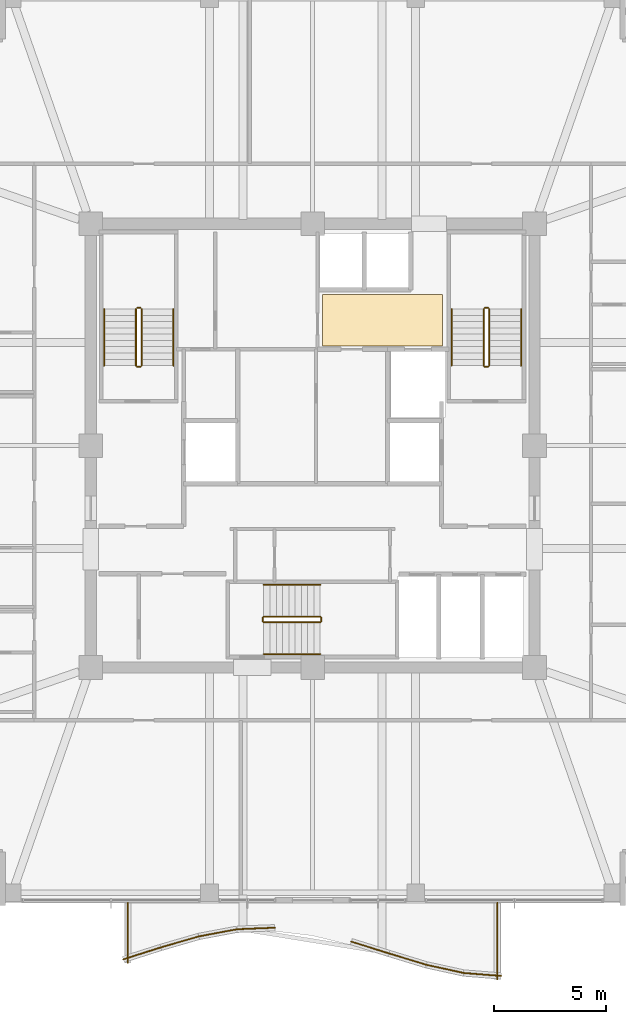
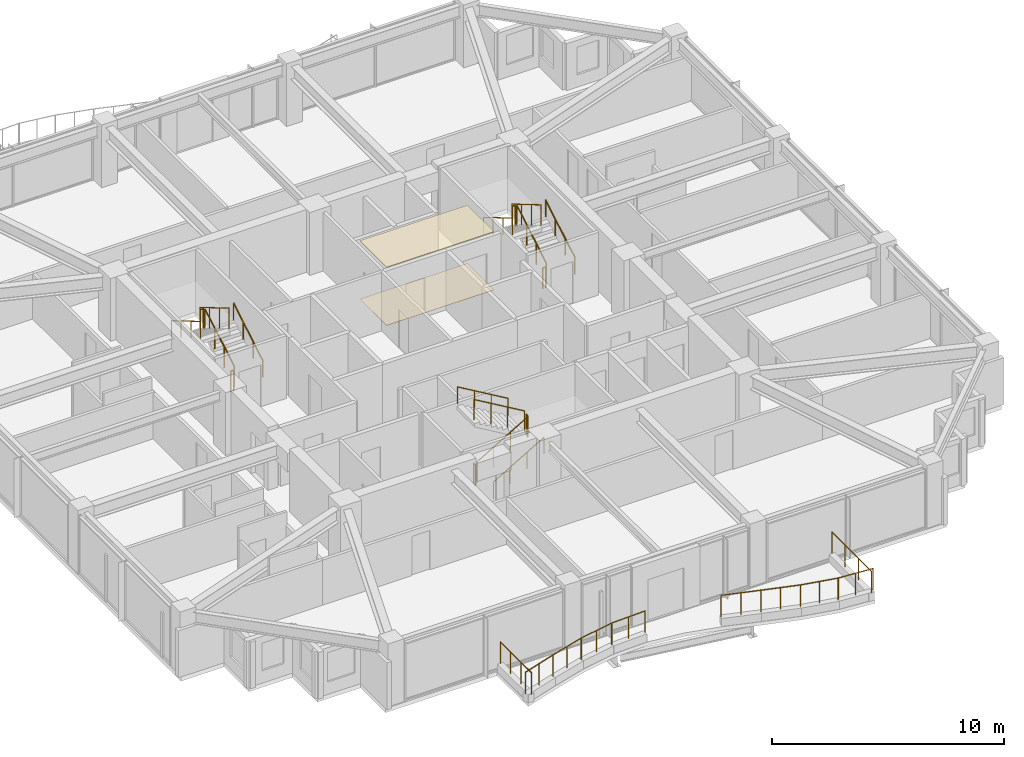
# One storey, part 35 of 36: 28 railings, 2 coverings.
"""IFC4 building model written with IfcOpenShell, lengths in metres."""

from ifc_helpers import new_model, si_unit, direction, frame, origin, origin_2d, place, context, subcontext, project, spatial, polyline, circle, outline, extrude, material, layer, layer_set, type_object, element, save


model = new_model("IFC4")

# Units and contexts
model_context = context("Model", 3, precision=1e-05, world=origin(), true_north=direction((0.0, 1.0)))
body_context = subcontext(model_context, "Body", "Model", "MODEL_VIEW")
ifc_project = project(units=[si_unit("LENGTHUNIT", "METRE"), si_unit("AREAUNIT", "SQUARE_METRE"), si_unit("VOLUMEUNIT", "CUBIC_METRE"), si_unit("PLANEANGLEUNIT", "RADIAN"), si_unit("MASSUNIT", "GRAM", prefix="KILO")], contexts=[model_context])

# Site, building, storey
site_placement = place(None, origin())
site = spatial("IfcSite", under=ifc_project, at=site_placement, CompositionType="ELEMENT")
building_placement = place(site_placement, origin())
building = spatial("IfcBuilding", under=site, at=building_placement, Name="Kolvaren Belvedere", CompositionType="ELEMENT")
storey_placement = place(building_placement, frame((0.0, 0.0, 193.199951171875)))
storey = spatial("IfcBuildingStorey", under=building, at=storey_placement, Name="L56", CompositionType="ELEMENT", Elevation=193.199951171875)

# Coverings
ifc_material_1 = material(Name="Acoustic perforated gypsum board", Category="gypsum")
ifc_layer_1 = layer(ifc_material_1, 0.02490234375)
ifc_layer_set_1 = layer_set([ifc_layer_1], Name="Acoustic perforated gypsum board")
covering_type_1 = type_object("IfcCoveringType", Name="COV-CEIL-GYP", PredefinedType="CEILING", material=ifc_layer_set_1)
covering_1_placement = place(storey_placement, frame((0.0, 0.0, 3.054931640625)))
element("IfcCovering", 1, at=covering_1_placement, inside=storey, type_object=covering_type_1, Name="L56 Lift Lobby Acoustic Baffle Ceiling", PredefinedType="CEILING", context=body_context, shape_type="SweptSolid", body=[
    extrude(outline(polyline([(0.449951171875, 4.449951171875), (5.800048828125, 4.449951171875), (5.800048828125, 6.75), (0.449951171875, 6.75), (0.449951171875, 4.449951171875)])), origin(), (0.0, 0.0, 1.0), 0.025146484375),
])
ifc_material_2 = material(Name="Engineered Pacific white oak", Category="timber")
ifc_layer_2 = layer(ifc_material_2, 0.02001953125)
ifc_layer_set_2 = layer_set([ifc_layer_2], Name="Engineered Pacific white oak")
covering_type_2 = type_object("IfcCoveringType", Name="COV-FLR-OAK", PredefinedType="FLOORING", material=ifc_layer_set_2)
covering_2_placement = place(storey_placement, origin())
element("IfcCovering", 2, at=covering_2_placement, inside=storey, type_object=covering_type_2, Name="L56 Lift Lobby Finish Flooring", PredefinedType="FLOORING", context=body_context, shape_type="SweptSolid", body=[
    extrude(outline(polyline([(0.449951171875, 4.449951171875), (5.800048828125, 4.449951171875), (5.800048828125, 6.75), (0.449951171875, 6.75), (0.449951171875, 4.449951171875)])), origin(), (0.0, 0.0, 1.0), 0.02001953125),
])

# Railings
ifc_material_3 = material(Name="Anodised pale-metal aluminium & laminated glass guard", Category="aluminium")
railing_type_1 = type_object("IfcRailingType", Name="RL-GUARD-1150", PredefinedType="GUARDRAIL", material=ifc_material_3)
railing_1_placement = place(storey_placement, frame((-8.448486328125, -22.92138671875, 0.380126953125)))
element("IfcRailing", 3, at=railing_1_placement, inside=storey, type_object=railing_type_1, Name="L56 Exterior Deck Safety Guard BAL-S-1", PredefinedType="GUARDRAIL", context=body_context, shape_type="SweptSolid", body=[
    extrude(circle(Radius=0.02392578125, at=origin_2d()), frame((0.0, 0.0, 1.1259765625), z_axis=(0.952661770826, 0.304032153573, 0.0), x_axis=(-0.304032153573, 0.952661770826, 0.0)), (0.0, 0.0, 1.0), 1.763427734375),
    extrude(circle(Radius=0.02099609375, at=origin_2d()), origin(), (0.0, 0.0, 1.0), 1.101806640625),
    extrude(circle(Radius=0.02099609375, at=origin_2d()), frame((0.83984375, 0.26806640625, 0.0)), (0.0, 0.0, 1.0), 1.101806640625),
    extrude(circle(Radius=0.02099609375, at=origin_2d()), frame((1.679931640625, 0.5361328125, 0.0)), (0.0, 0.0, 1.0), 1.101806640625),
])
railing_2_placement = place(storey_placement, frame((-6.764404296875, -22.3837890625, 0.380126953125)))
element("IfcRailing", 4, at=railing_2_placement, inside=storey, type_object=railing_type_1, Name="L56 Exterior Deck Safety Guard BAL-S-2", PredefinedType="GUARDRAIL", context=body_context, shape_type="SweptSolid", body=[
    extrude(circle(Radius=0.02392578125, at=origin_2d()), frame((0.0, 0.0, 1.1259765625), z_axis=(0.960633903819, 0.277817391164, 0.0), x_axis=(-0.277817391164, 0.960633903819, 0.0)), (0.0, 0.0, 1.0), 1.748779296875),
    extrude(circle(Radius=0.02099609375, at=origin_2d()), origin(), (0.0, 0.0, 1.0), 1.101806640625),
    extrude(circle(Radius=0.02099609375, at=origin_2d()), frame((0.83984375, 0.242919921875, 0.0)), (0.0, 0.0, 1.0), 1.101806640625),
    extrude(circle(Radius=0.02099609375, at=origin_2d()), frame((1.679931640625, 0.48583984375, 0.0)), (0.0, 0.0, 1.0), 1.101806640625),
])
railing_3_placement = place(storey_placement, frame((-5.069580078125, -21.894287109375, 0.380126953125)))
element("IfcRailing", 5, at=railing_3_placement, inside=storey, type_object=railing_type_1, Name="L56 Exterior Deck Safety Guard BAL-S-3", PredefinedType="GUARDRAIL", context=body_context, shape_type="SweptSolid", body=[
    extrude(circle(Radius=0.02392578125, at=origin_2d()), frame((0.0, 0.0, 1.1259765625), z_axis=(0.982799348901, 0.18467658162, 0.0), x_axis=(-0.18467658162, 0.982799348901, 0.0)), (0.0, 0.0, 1.0), 1.709228515625),
    extrude(circle(Radius=0.02099609375, at=origin_2d()), origin(), (0.0, 0.0, 1.0), 1.101806640625),
    extrude(circle(Radius=0.02099609375, at=origin_2d()), frame((0.83984375, 0.15771484375, 0.0)), (0.0, 0.0, 1.0), 1.101806640625),
    extrude(circle(Radius=0.02099609375, at=origin_2d()), frame((1.679931640625, 0.315673828125, 0.0)), (0.0, 0.0, 1.0), 1.101806640625),
])
railing_4_placement = place(storey_placement, frame((-3.366455078125, -21.575927734375, 0.380126953125)))
element("IfcRailing", 6, at=railing_4_placement, inside=storey, type_object=railing_type_1, Name="L56 Exterior Deck Safety Guard BAL-S-4", PredefinedType="GUARDRAIL", context=body_context, shape_type="SweptSolid", body=[
    extrude(circle(Radius=0.02392578125, at=origin_2d()), frame((0.0, 0.0, 1.1259765625), z_axis=(0.999196778482, 0.040072407855, 0.0), x_axis=(-0.040072407855, 0.999196778482, 0.0)), (0.0, 0.0, 1.0), 1.681640625),
    extrude(circle(Radius=0.02099609375, at=origin_2d()), origin(), (0.0, 0.0, 1.0), 1.101806640625),
    extrude(circle(Radius=0.02099609375, at=origin_2d()), frame((0.840087890625, 0.03369140625, 0.0)), (0.0, 0.0, 1.0), 1.101806640625),
    extrude(circle(Radius=0.02099609375, at=origin_2d()), frame((1.68017578125, 0.0673828125, 0.0)), (0.0, 0.0, 1.0), 1.101806640625),
])
railing_5_placement = place(storey_placement, frame((1.727783203125, -22.127685546875, 0.380126953125)))
element("IfcRailing", 7, at=railing_5_placement, inside=storey, type_object=railing_type_1, Name="L56 Exterior Deck Safety Guard BAL-S-7", PredefinedType="GUARDRAIL", context=body_context, shape_type="SweptSolid", body=[
    extrude(circle(Radius=0.02392578125, at=origin_2d()), frame((0.0, 0.0, 1.1259765625), z_axis=(0.954069594374, -0.299585061529, 0.0), x_axis=(0.299585061529, 0.954069594374, 0.0)), (0.0, 0.0, 1.0), 1.760986328125),
    extrude(circle(Radius=0.02099609375, at=origin_2d()), origin(), (0.0, 0.0, 1.0), 1.101806640625),
    extrude(circle(Radius=0.02099609375, at=origin_2d()), frame((0.840087890625, -0.263671875, 0.0)), (0.0, 0.0, 1.0), 1.101806640625),
    extrude(circle(Radius=0.02099609375, at=origin_2d()), frame((1.68017578125, -0.527587890625, 0.0)), (0.0, 0.0, 1.0), 1.101806640625),
])
railing_6_placement = place(storey_placement, frame((3.406494140625, -22.65478515625, 0.380126953125)))
element("IfcRailing", 8, at=railing_6_placement, inside=storey, type_object=railing_type_1, Name="L56 Exterior Deck Safety Guard BAL-S-8", PredefinedType="GUARDRAIL", context=body_context, shape_type="SweptSolid", body=[
    extrude(circle(Radius=0.02392578125, at=origin_2d()), frame((0.0, 0.0, 1.1259765625), z_axis=(0.956771481005, -0.290840734999, 0.0), x_axis=(0.290840734999, 0.956771481005, 0.0)), (0.0, 0.0, 1.0), 1.756103515625),
    extrude(circle(Radius=0.02099609375, at=origin_2d()), origin(), (0.0, 0.0, 1.0), 1.101806640625),
    extrude(circle(Radius=0.02099609375, at=origin_2d()), frame((0.840087890625, -0.25537109375, 0.0)), (0.0, 0.0, 1.0), 1.101806640625),
    extrude(circle(Radius=0.02099609375, at=origin_2d()), frame((1.68017578125, -0.5107421875, 0.0)), (0.0, 0.0, 1.0), 1.101806640625),
])
railing_7_placement = place(storey_placement, frame((5.07421875, -23.162353515625, 0.380126953125)))
element("IfcRailing", 9, at=railing_7_placement, inside=storey, type_object=railing_type_1, Name="L56 Exterior Deck Safety Guard BAL-S-9", PredefinedType="GUARDRAIL", context=body_context, shape_type="SweptSolid", body=[
    extrude(circle(Radius=0.02392578125, at=origin_2d()), frame((0.0, 0.0, 1.1259765625), z_axis=(0.976876857632, -0.213802724545, 0.0), x_axis=(0.213802724545, 0.976876857632, 0.0)), (0.0, 0.0, 1.0), 1.7197265625),
    extrude(circle(Radius=0.02099609375, at=origin_2d()), origin(), (0.0, 0.0, 1.0), 1.101806640625),
    extrude(circle(Radius=0.02099609375, at=origin_2d()), frame((0.83984375, -0.183837890625, 0.0)), (0.0, 0.0, 1.0), 1.101806640625),
    extrude(circle(Radius=0.02099609375, at=origin_2d()), frame((1.679931640625, -0.36767578125, 0.0)), (0.0, 0.0, 1.0), 1.101806640625),
])
railing_8_placement = place(storey_placement, frame((6.732666015625, -23.52685546875, 0.380126953125)))
element("IfcRailing", 10, at=railing_8_placement, inside=storey, type_object=railing_type_1, Name="L56 Exterior Deck Safety Guard BAL-S-10", PredefinedType="GUARDRAIL", context=body_context, shape_type="SweptSolid", body=[
    extrude(circle(Radius=0.02392578125, at=origin_2d()), frame((0.0, 0.0, 1.1259765625), z_axis=(0.99685522818, -0.079244268248, 0.0), x_axis=(0.079244268248, 0.99685522818, 0.0)), (0.0, 0.0, 1.0), 1.685302734375),
    extrude(circle(Radius=0.02099609375, at=origin_2d()), origin(), (0.0, 0.0, 1.0), 1.101806640625),
    extrude(circle(Radius=0.02099609375, at=origin_2d()), frame((0.83984375, -0.06689453125, 0.0)), (0.0, 0.0, 1.0), 1.101806640625),
    extrude(circle(Radius=0.02099609375, at=origin_2d()), frame((1.679931640625, -0.133544921875, 0.0)), (0.0, 0.0, 1.0), 1.101806640625),
])
railing_9_placement = place(storey_placement, frame((8.239990234375, -23.820068359375, 0.380126953125)))
element("IfcRailing", 11, at=railing_9_placement, inside=storey, type_object=railing_type_1, Name="L56 Exterior Deck Safety Guard BAL-S-11", PredefinedType="GUARDRAIL", context=body_context, shape_type="SweptSolid", body=[
    extrude(circle(Radius=0.02392578125, at=origin_2d()), frame((0.0, 0.0, 1.1259765625), z_axis=(0.0, 1.0, 0.0), x_axis=(-1.0, 0.0, 0.0)), (0.0, 0.0, 1.0), 3.420166015625),
    extrude(circle(Radius=0.02099609375, at=origin_2d()), origin(), (0.0, 0.0, 1.0), 1.101806640625),
    extrude(circle(Radius=0.02099609375, at=origin_2d()), frame((0.0, 1.14013671875, 0.0)), (0.0, 0.0, 1.0), 1.101806640625),
    extrude(circle(Radius=0.02099609375, at=origin_2d()), frame((0.0, 2.280029296875, 0.0)), (0.0, 0.0, 1.0), 1.101806640625),
    extrude(circle(Radius=0.02099609375, at=origin_2d()), frame((0.0, 3.420166015625, 0.0)), (0.0, 0.0, 1.0), 1.101806640625),
])
railing_10_placement = place(storey_placement, frame((-8.239990234375, -20.39990234375, 0.380126953125)))
element("IfcRailing", 12, at=railing_10_placement, inside=storey, type_object=railing_type_1, Name="L56 Exterior Deck Safety Guard BAL-S-22", PredefinedType="GUARDRAIL", context=body_context, shape_type="SweptSolid", body=[
    extrude(circle(Radius=0.02392578125, at=origin_2d()), frame((0.0, 0.0, 1.1259765625), z_axis=(0.0, -1.0, 0.0), x_axis=(1.0, 0.0, 0.0)), (0.0, 0.0, 1.0), 2.673828125),
    extrude(circle(Radius=0.02099609375, at=origin_2d()), origin(), (0.0, 0.0, 1.0), 1.101806640625),
    extrude(circle(Radius=0.02099609375, at=origin_2d()), frame((0.0, -0.891357421875, 0.0)), (0.0, 0.0, 1.0), 1.101806640625),
    extrude(circle(Radius=0.02099609375, at=origin_2d()), frame((0.0, -1.782470703125, 0.0)), (0.0, 0.0, 1.0), 1.101806640625),
    extrude(circle(Radius=0.02099609375, at=origin_2d()), frame((0.0, -2.673828125, 0.0)), (0.0, 0.0, 1.0), 1.101806640625),
])
ifc_material_4 = material(Name="Brushed stainless-steel handrail", Category="steel")
railing_type_2 = type_object("IfcRailingType", Name="RL-HANDRAIL-920", PredefinedType="HANDRAIL", material=ifc_material_4)
railing_11_placement = place(storey_placement, frame((-6.2099609375, 3.570068359375, 0.1650390625)))
element("IfcRailing", 13, at=railing_11_placement, inside=storey, type_object=railing_type_2, Name="L56 ST-1 stair handrail 1", PredefinedType="HANDRAIL", context=body_context, shape_type="SweptSolid", body=[
    extrude(circle(Radius=0.02392578125, at=origin_2d()), frame((0.0, 0.0, 0.8759765625), z_axis=(0.0, 0.86152411907, 0.507716645641), x_axis=(-1.0, 0.0, 0.0)), (0.0, 0.0, 1.0), 2.925048828125),
    extrude(circle(Radius=0.02099609375, at=origin_2d()), origin(), (0.0, 0.0, 1.0), 0.851806640625),
    extrude(circle(Radius=0.02099609375, at=origin_2d()), frame((0.0, 0.840087890625, 0.4951171875)), (0.0, 0.0, 1.0), 0.851806640625),
    extrude(circle(Radius=0.02099609375, at=origin_2d()), frame((0.0, 1.679931640625, 0.989990234375)), (0.0, 0.0, 1.0), 0.851806640625),
    extrude(circle(Radius=0.02099609375, at=origin_2d()), frame((0.0, 2.52001953125, 1.485107421875)), (0.0, 0.0, 1.0), 0.851806640625),
])
railing_12_placement = place(storey_placement, frame((-9.300048828125, 6.090087890625, 1.81494140625)))
element("IfcRailing", 14, at=railing_12_placement, inside=storey, type_object=railing_type_2, Name="L56 ST-1 stair handrail 2", PredefinedType="HANDRAIL", context=body_context, shape_type="SweptSolid", body=[
    extrude(circle(Radius=0.02392578125, at=origin_2d()), frame((0.0, 0.0, 0.8759765625), z_axis=(0.0, -0.86152411907, 0.507716645641), x_axis=(1.0, 0.0, 0.0)), (0.0, 0.0, 1.0), 2.925048828125),
    extrude(circle(Radius=0.02099609375, at=origin_2d()), origin(), (0.0, 0.0, 1.0), 0.851806640625),
    extrude(circle(Radius=0.02099609375, at=origin_2d()), frame((0.0, -0.840087890625, 0.4951171875)), (0.0, 0.0, 1.0), 0.851806640625),
    extrude(circle(Radius=0.02099609375, at=origin_2d()), frame((0.0, -1.679931640625, 0.989990234375)), (0.0, 0.0, 1.0), 0.851806640625),
    extrude(circle(Radius=0.02099609375, at=origin_2d()), frame((0.0, -2.52001953125, 1.485107421875)), (0.0, 0.0, 1.0), 0.851806640625),
])
railing_13_placement = place(storey_placement, frame((9.300048828125, 3.570068359375, 0.1650390625)))
element("IfcRailing", 15, at=railing_13_placement, inside=storey, type_object=railing_type_2, Name="L56 ST-2 stair handrail 1", PredefinedType="HANDRAIL", context=body_context, shape_type="SweptSolid", body=[
    extrude(circle(Radius=0.02392578125, at=origin_2d()), frame((0.0, 0.0, 0.8759765625), z_axis=(0.0, 0.86152411907, 0.507716645641), x_axis=(-1.0, 0.0, 0.0)), (0.0, 0.0, 1.0), 2.925048828125),
    extrude(circle(Radius=0.02099609375, at=origin_2d()), origin(), (0.0, 0.0, 1.0), 0.851806640625),
    extrude(circle(Radius=0.02099609375, at=origin_2d()), frame((0.0, 0.840087890625, 0.4951171875)), (0.0, 0.0, 1.0), 0.851806640625),
    extrude(circle(Radius=0.02099609375, at=origin_2d()), frame((0.0, 1.679931640625, 0.989990234375)), (0.0, 0.0, 1.0), 0.851806640625),
    extrude(circle(Radius=0.02099609375, at=origin_2d()), frame((0.0, 2.52001953125, 1.485107421875)), (0.0, 0.0, 1.0), 0.851806640625),
])
railing_14_placement = place(storey_placement, frame((6.2099609375, 6.090087890625, 1.81494140625)))
element("IfcRailing", 16, at=railing_14_placement, inside=storey, type_object=railing_type_2, Name="L56 ST-2 stair handrail 2", PredefinedType="HANDRAIL", context=body_context, shape_type="SweptSolid", body=[
    extrude(circle(Radius=0.02392578125, at=origin_2d()), frame((0.0, 0.0, 0.8759765625), z_axis=(0.0, -0.86152411907, 0.507716645641), x_axis=(1.0, 0.0, 0.0)), (0.0, 0.0, 1.0), 2.925048828125),
    extrude(circle(Radius=0.02099609375, at=origin_2d()), origin(), (0.0, 0.0, 1.0), 0.851806640625),
    extrude(circle(Radius=0.02099609375, at=origin_2d()), frame((0.0, -0.840087890625, 0.4951171875)), (0.0, 0.0, 1.0), 0.851806640625),
    extrude(circle(Radius=0.02099609375, at=origin_2d()), frame((0.0, -1.679931640625, 0.989990234375)), (0.0, 0.0, 1.0), 0.851806640625),
    extrude(circle(Radius=0.02099609375, at=origin_2d()), frame((0.0, -2.52001953125, 1.485107421875)), (0.0, 0.0, 1.0), 0.851806640625),
])
railing_15_placement = place(storey_placement, frame((-2.179931640625, -9.300048828125, 0.1650390625)))
element("IfcRailing", 17, at=railing_15_placement, inside=storey, type_object=railing_type_2, Name="L56 ST-3 stair handrail 1", PredefinedType="HANDRAIL", context=body_context, shape_type="SweptSolid", body=[
    extrude(circle(Radius=0.02392578125, at=origin_2d()), frame((0.0, 0.0, 0.8759765625), z_axis=(0.86152411907, 0.0, 0.507716645641), x_axis=(0.0, 1.0, 0.0)), (0.0, 0.0, 1.0), 2.925048828125),
    extrude(circle(Radius=0.02099609375, at=origin_2d()), origin(), (0.0, 0.0, 1.0), 0.851806640625),
    extrude(circle(Radius=0.02099609375, at=origin_2d()), frame((0.840087890625, 0.0, 0.4951171875)), (0.0, 0.0, 1.0), 0.851806640625),
    extrude(circle(Radius=0.02099609375, at=origin_2d()), frame((1.679931640625, 0.0, 0.989990234375)), (0.0, 0.0, 1.0), 0.851806640625),
    extrude(circle(Radius=0.02099609375, at=origin_2d()), frame((2.52001953125, 0.0, 1.485107421875)), (0.0, 0.0, 1.0), 0.851806640625),
])
railing_16_placement = place(storey_placement, frame((0.340087890625, -6.2099609375, 1.81494140625)))
element("IfcRailing", 18, at=railing_16_placement, inside=storey, type_object=railing_type_2, Name="L56 ST-3 stair handrail 2", PredefinedType="HANDRAIL", context=body_context, shape_type="SweptSolid", body=[
    extrude(circle(Radius=0.02392578125, at=origin_2d()), frame((0.0, 0.0, 0.8759765625), z_axis=(-0.86152411907, 0.0, 0.507716645641), x_axis=(0.0, -1.0, 0.0)), (0.0, 0.0, 1.0), 2.925048828125),
    extrude(circle(Radius=0.02099609375, at=origin_2d()), origin(), (0.0, 0.0, 1.0), 0.851806640625),
    extrude(circle(Radius=0.02099609375, at=origin_2d()), frame((-0.840087890625, 0.0, 0.4951171875)), (0.0, 0.0, 1.0), 0.851806640625),
    extrude(circle(Radius=0.02099609375, at=origin_2d()), frame((-1.679931640625, 0.0, 0.989990234375)), (0.0, 0.0, 1.0), 0.851806640625),
    extrude(circle(Radius=0.02099609375, at=origin_2d()), frame((-2.52001953125, 0.0, 1.485107421875)), (0.0, 0.0, 1.0), 0.851806640625),
])
ifc_material_5 = material(Name="Painted tubular steel stair guard", Category="steel")
railing_type_3 = type_object("IfcRailingType", Name="RL-STGUARD-1100", PredefinedType="GUARDRAIL", material=ifc_material_5)
railing_17_placement = place(storey_placement, frame((-7.6298828125, 3.570068359375, 0.1650390625)))
element("IfcRailing", 19, at=railing_17_placement, inside=storey, type_object=railing_type_3, Name="L56 ST-1 stair guard 1", PredefinedType="GUARDRAIL", context=body_context, shape_type="SweptSolid", body=[
    extrude(circle(Radius=0.02392578125, at=origin_2d()), frame((0.0, 0.0, 1.076171875), z_axis=(0.0, 0.86152411907, 0.507716645641), x_axis=(-1.0, 0.0, 0.0)), (0.0, 0.0, 1.0), 2.925048828125),
    extrude(circle(Radius=0.02099609375, at=origin_2d()), origin(), (0.0, 0.0, 1.0), 1.052001953125),
    extrude(circle(Radius=0.02099609375, at=origin_2d()), frame((0.0, 0.840087890625, 0.4951171875)), (0.0, 0.0, 1.0), 1.052001953125),
    extrude(circle(Radius=0.02099609375, at=origin_2d()), frame((0.0, 1.679931640625, 0.989990234375)), (0.0, 0.0, 1.0), 1.052001953125),
    extrude(circle(Radius=0.02099609375, at=origin_2d()), frame((0.0, 2.52001953125, 1.485107421875)), (0.0, 0.0, 1.0), 1.052001953125),
])
railing_18_placement = place(storey_placement, frame((-7.679931640625, 6.139892578125, 1.650146484375)))
element("IfcRailing", 20, at=railing_18_placement, inside=storey, type_object=railing_type_3, Name="L56 ST-1 stair guard 2", PredefinedType="GUARDRAIL", context=body_context, shape_type="SweptSolid", body=[
    extrude(circle(Radius=0.02392578125, at=origin_2d()), frame((0.0, 0.0, 1.076171875), z_axis=(-1.0, 0.0, 0.0), x_axis=(0.0, -1.0, 0.0)), (0.0, 0.0, 1.0), 0.150146484375),
    extrude(circle(Radius=0.02099609375, at=origin_2d()), origin(), (0.0, 0.0, 1.0), 1.052001953125),
    extrude(circle(Radius=0.02099609375, at=origin_2d()), frame((-0.150146484375, 0.0, 0.0)), (0.0, 0.0, 1.0), 1.052001953125),
])
railing_19_placement = place(storey_placement, frame((-7.8798828125, 6.090087890625, 1.81494140625)))
element("IfcRailing", 21, at=railing_19_placement, inside=storey, type_object=railing_type_3, Name="L56 ST-1 stair guard 3", PredefinedType="GUARDRAIL", context=body_context, shape_type="SweptSolid", body=[
    extrude(circle(Radius=0.02392578125, at=origin_2d()), frame((0.0, 0.0, 1.076171875), z_axis=(0.0, -0.86152411907, 0.507716645641), x_axis=(1.0, 0.0, 0.0)), (0.0, 0.0, 1.0), 2.925048828125),
    extrude(circle(Radius=0.02099609375, at=origin_2d()), origin(), (0.0, 0.0, 1.0), 1.052001953125),
    extrude(circle(Radius=0.02099609375, at=origin_2d()), frame((0.0, -0.840087890625, 0.4951171875)), (0.0, 0.0, 1.0), 1.052001953125),
    extrude(circle(Radius=0.02099609375, at=origin_2d()), frame((0.0, -1.679931640625, 0.989990234375)), (0.0, 0.0, 1.0), 1.052001953125),
    extrude(circle(Radius=0.02099609375, at=origin_2d()), frame((0.0, -2.52001953125, 1.485107421875)), (0.0, 0.0, 1.0), 1.052001953125),
])
railing_20_placement = place(storey_placement, frame((-7.679931640625, 3.52001953125, 0.0)))
element("IfcRailing", 22, at=railing_20_placement, inside=storey, type_object=railing_type_3, Name="L56 ST-1 stair guard 4", PredefinedType="GUARDRAIL", context=body_context, shape_type="SweptSolid", body=[
    extrude(circle(Radius=0.02392578125, at=origin_2d()), frame((0.0, 0.0, 1.076171875), z_axis=(-1.0, 0.0, 0.0), x_axis=(0.0, -1.0, 0.0)), (0.0, 0.0, 1.0), 0.150146484375),
    extrude(circle(Radius=0.02099609375, at=origin_2d()), origin(), (0.0, 0.0, 1.0), 1.052001953125),
    extrude(circle(Radius=0.02099609375, at=origin_2d()), frame((-0.150146484375, 0.0, 0.0)), (0.0, 0.0, 1.0), 1.052001953125),
])
railing_21_placement = place(storey_placement, frame((7.8798828125, 3.570068359375, 0.1650390625)))
element("IfcRailing", 23, at=railing_21_placement, inside=storey, type_object=railing_type_3, Name="L56 ST-2 stair guard 1", PredefinedType="GUARDRAIL", context=body_context, shape_type="SweptSolid", body=[
    extrude(circle(Radius=0.02392578125, at=origin_2d()), frame((0.0, 0.0, 1.076171875), z_axis=(0.0, 0.86152411907, 0.507716645641), x_axis=(-1.0, 0.0, 0.0)), (0.0, 0.0, 1.0), 2.925048828125),
    extrude(circle(Radius=0.02099609375, at=origin_2d()), origin(), (0.0, 0.0, 1.0), 1.052001953125),
    extrude(circle(Radius=0.02099609375, at=origin_2d()), frame((0.0, 0.840087890625, 0.4951171875)), (0.0, 0.0, 1.0), 1.052001953125),
    extrude(circle(Radius=0.02099609375, at=origin_2d()), frame((0.0, 1.679931640625, 0.989990234375)), (0.0, 0.0, 1.0), 1.052001953125),
    extrude(circle(Radius=0.02099609375, at=origin_2d()), frame((0.0, 2.52001953125, 1.485107421875)), (0.0, 0.0, 1.0), 1.052001953125),
])
railing_22_placement = place(storey_placement, frame((7.830078125, 6.139892578125, 1.650146484375)))
element("IfcRailing", 24, at=railing_22_placement, inside=storey, type_object=railing_type_3, Name="L56 ST-2 stair guard 2", PredefinedType="GUARDRAIL", context=body_context, shape_type="SweptSolid", body=[
    extrude(circle(Radius=0.02392578125, at=origin_2d()), frame((0.0, 0.0, 1.076171875), z_axis=(-1.0, 0.0, 0.0), x_axis=(0.0, -1.0, 0.0)), (0.0, 0.0, 1.0), 0.150146484375),
    extrude(circle(Radius=0.02099609375, at=origin_2d()), origin(), (0.0, 0.0, 1.0), 1.052001953125),
    extrude(circle(Radius=0.02099609375, at=origin_2d()), frame((-0.150146484375, 0.0, 0.0)), (0.0, 0.0, 1.0), 1.052001953125),
])
railing_23_placement = place(storey_placement, frame((7.6298828125, 6.090087890625, 1.81494140625)))
element("IfcRailing", 25, at=railing_23_placement, inside=storey, type_object=railing_type_3, Name="L56 ST-2 stair guard 3", PredefinedType="GUARDRAIL", context=body_context, shape_type="SweptSolid", body=[
    extrude(circle(Radius=0.02392578125, at=origin_2d()), frame((0.0, 0.0, 1.076171875), z_axis=(0.0, -0.86152411907, 0.507716645641), x_axis=(1.0, 0.0, 0.0)), (0.0, 0.0, 1.0), 2.925048828125),
    extrude(circle(Radius=0.02099609375, at=origin_2d()), origin(), (0.0, 0.0, 1.0), 1.052001953125),
    extrude(circle(Radius=0.02099609375, at=origin_2d()), frame((0.0, -0.840087890625, 0.4951171875)), (0.0, 0.0, 1.0), 1.052001953125),
    extrude(circle(Radius=0.02099609375, at=origin_2d()), frame((0.0, -1.679931640625, 0.989990234375)), (0.0, 0.0, 1.0), 1.052001953125),
    extrude(circle(Radius=0.02099609375, at=origin_2d()), frame((0.0, -2.52001953125, 1.485107421875)), (0.0, 0.0, 1.0), 1.052001953125),
])
railing_24_placement = place(storey_placement, frame((7.830078125, 3.52001953125, 0.0)))
element("IfcRailing", 26, at=railing_24_placement, inside=storey, type_object=railing_type_3, Name="L56 ST-2 stair guard 4", PredefinedType="GUARDRAIL", context=body_context, shape_type="SweptSolid", body=[
    extrude(circle(Radius=0.02392578125, at=origin_2d()), frame((0.0, 0.0, 1.076171875), z_axis=(-1.0, 0.0, 0.0), x_axis=(0.0, -1.0, 0.0)), (0.0, 0.0, 1.0), 0.150146484375),
    extrude(circle(Radius=0.02099609375, at=origin_2d()), origin(), (0.0, 0.0, 1.0), 1.052001953125),
    extrude(circle(Radius=0.02099609375, at=origin_2d()), frame((-0.150146484375, 0.0, 0.0)), (0.0, 0.0, 1.0), 1.052001953125),
])
railing_25_placement = place(storey_placement, frame((-2.179931640625, -7.8798828125, 0.1650390625)))
element("IfcRailing", 27, at=railing_25_placement, inside=storey, type_object=railing_type_3, Name="L56 ST-3 stair guard 1", PredefinedType="GUARDRAIL", context=body_context, shape_type="SweptSolid", body=[
    extrude(circle(Radius=0.02392578125, at=origin_2d()), frame((0.0, 0.0, 1.076171875), z_axis=(0.86152411907, 0.0, 0.507716645641), x_axis=(0.0, 1.0, 0.0)), (0.0, 0.0, 1.0), 2.925048828125),
    extrude(circle(Radius=0.02099609375, at=origin_2d()), origin(), (0.0, 0.0, 1.0), 1.052001953125),
    extrude(circle(Radius=0.02099609375, at=origin_2d()), frame((0.840087890625, 0.0, 0.4951171875)), (0.0, 0.0, 1.0), 1.052001953125),
    extrude(circle(Radius=0.02099609375, at=origin_2d()), frame((1.679931640625, 0.0, 0.989990234375)), (0.0, 0.0, 1.0), 1.052001953125),
    extrude(circle(Radius=0.02099609375, at=origin_2d()), frame((2.52001953125, 0.0, 1.485107421875)), (0.0, 0.0, 1.0), 1.052001953125),
])
railing_26_placement = place(storey_placement, frame((0.389892578125, -7.830078125, 1.650146484375)))
element("IfcRailing", 28, at=railing_26_placement, inside=storey, type_object=railing_type_3, Name="L56 ST-3 stair guard 2", PredefinedType="GUARDRAIL", context=body_context, shape_type="SweptSolid", body=[
    extrude(circle(Radius=0.02392578125, at=origin_2d()), frame((0.0, 0.0, 1.076171875), z_axis=(0.0, 1.0, 0.0), x_axis=(-1.0, 0.0, 0.0)), (0.0, 0.0, 1.0), 0.150146484375),
    extrude(circle(Radius=0.02099609375, at=origin_2d()), origin(), (0.0, 0.0, 1.0), 1.052001953125),
    extrude(circle(Radius=0.02099609375, at=origin_2d()), frame((0.0, 0.150146484375, 0.0)), (0.0, 0.0, 1.0), 1.052001953125),
])
railing_27_placement = place(storey_placement, frame((0.340087890625, -7.6298828125, 1.81494140625)))
element("IfcRailing", 29, at=railing_27_placement, inside=storey, type_object=railing_type_3, Name="L56 ST-3 stair guard 3", PredefinedType="GUARDRAIL", context=body_context, shape_type="SweptSolid", body=[
    extrude(circle(Radius=0.02392578125, at=origin_2d()), frame((0.0, 0.0, 1.076171875), z_axis=(-0.86152411907, 0.0, 0.507716645641), x_axis=(0.0, -1.0, 0.0)), (0.0, 0.0, 1.0), 2.925048828125),
    extrude(circle(Radius=0.02099609375, at=origin_2d()), origin(), (0.0, 0.0, 1.0), 1.052001953125),
    extrude(circle(Radius=0.02099609375, at=origin_2d()), frame((-0.840087890625, 0.0, 0.4951171875)), (0.0, 0.0, 1.0), 1.052001953125),
    extrude(circle(Radius=0.02099609375, at=origin_2d()), frame((-1.679931640625, 0.0, 0.989990234375)), (0.0, 0.0, 1.0), 1.052001953125),
    extrude(circle(Radius=0.02099609375, at=origin_2d()), frame((-2.52001953125, 0.0, 1.485107421875)), (0.0, 0.0, 1.0), 1.052001953125),
])
railing_28_placement = place(storey_placement, frame((-2.22998046875, -7.830078125, 0.0)))
element("IfcRailing", 30, at=railing_28_placement, inside=storey, type_object=railing_type_3, Name="L56 ST-3 stair guard 4", PredefinedType="GUARDRAIL", context=body_context, shape_type="SweptSolid", body=[
    extrude(circle(Radius=0.02392578125, at=origin_2d()), frame((0.0, 0.0, 1.076171875), z_axis=(0.0, 1.0, 0.0), x_axis=(-1.0, 0.0, 0.0)), (0.0, 0.0, 1.0), 0.150146484375),
    extrude(circle(Radius=0.02099609375, at=origin_2d()), origin(), (0.0, 0.0, 1.0), 1.052001953125),
    extrude(circle(Radius=0.02099609375, at=origin_2d()), frame((0.0, 0.150146484375, 0.0)), (0.0, 0.0, 1.0), 1.052001953125),
])

save(model, "model.ifc")
